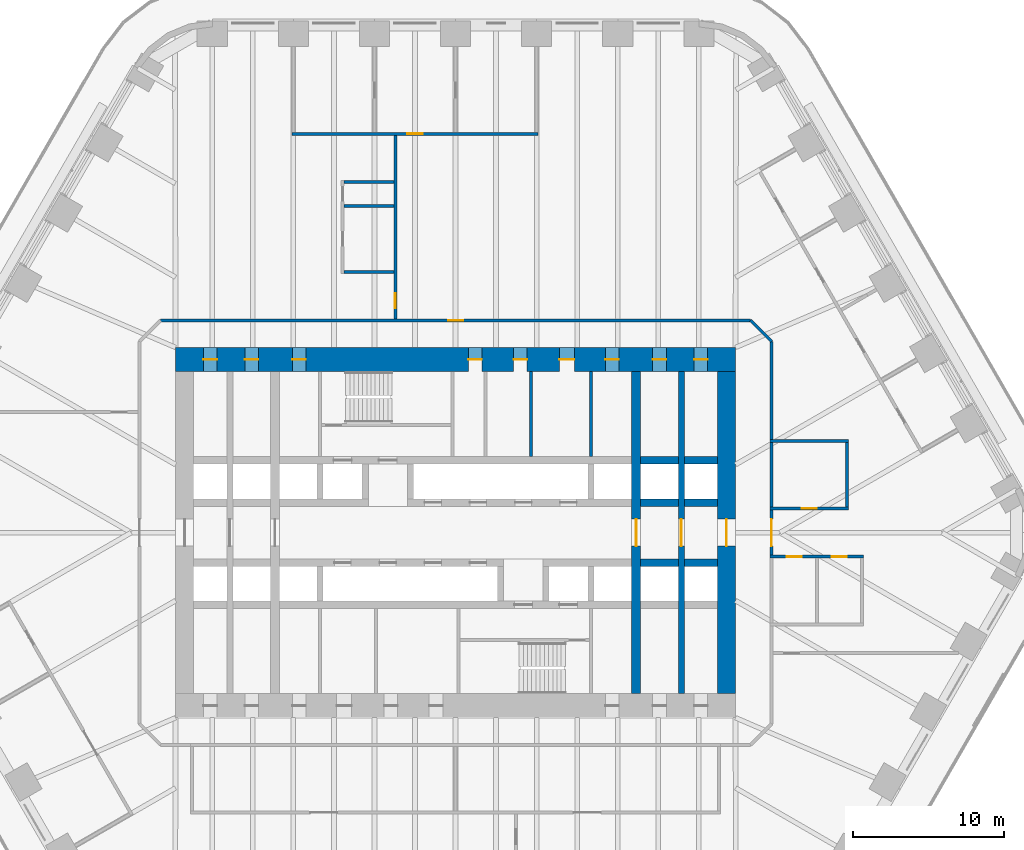
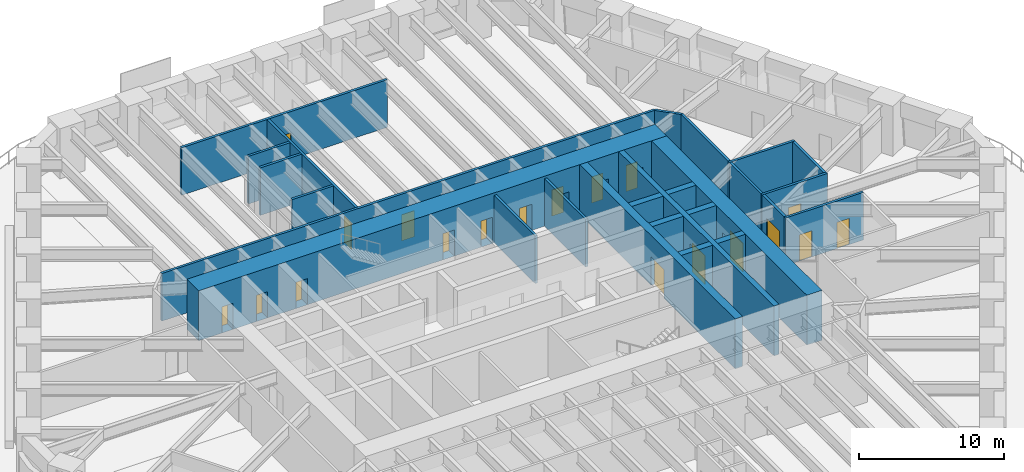
# One storey, part 19 of 24: 26 walls, 19 doors, 19 openings.
"""IFC4 building model written with IfcOpenShell, lengths in metres."""

from ifc_helpers import new_model, si_unit, direction, frame, frame_2d, origin, place, context, subcontext, project, spatial, rectangle, extrude, material, layer, layer_set, type_object, element, fill, save


model = new_model("IFC4")

# Units and contexts
model_context = context("Model", 3, precision=1e-05, world=origin(), true_north=direction((0.0, 1.0)))
body_context = subcontext(model_context, "Body", "Model", "MODEL_VIEW")
ifc_project = project(units=[si_unit("LENGTHUNIT", "METRE"), si_unit("AREAUNIT", "SQUARE_METRE"), si_unit("VOLUMEUNIT", "CUBIC_METRE"), si_unit("PLANEANGLEUNIT", "RADIAN"), si_unit("MASSUNIT", "GRAM", prefix="KILO")], contexts=[model_context])

# Site, building, storey
site_placement = place(None, origin())
site = spatial("IfcSite", under=ifc_project, at=site_placement, CompositionType="ELEMENT")
building_placement = place(site_placement, origin())
building = spatial("IfcBuilding", under=site, at=building_placement, Name="Tarfa Lantern Tower", CompositionType="ELEMENT")
storey_placement = place(building_placement, frame((0.0, 0.0, 65.5)))
storey = spatial("IfcBuildingStorey", under=building, at=storey_placement, Name="L14", CompositionType="ELEMENT", Elevation=65.5)

# Walls
ifc_material_1 = material(Name="Concrete blockwork", Category="masonry")
ifc_layer_1 = layer(ifc_material_1, 0.199951171875)
ifc_layer_set_1 = layer_set([ifc_layer_1], Name="IW1 BLOCKWORK PARTITION 200 EI 120")
wall_type_1 = type_object("IfcWallType", Name="IW1 BLOCKWORK PARTITION 200 EI 120", PredefinedType="PARTITIONING", material=ifc_layer_set_1)
for number, where, z_axis, x_axis, name in (
    (1, (9.0, 5.050048828125, 0.0), (0.0, 0.0, 1.0), (0.0, 1.0, 0.0), "Core partition"),
    (2, (5.0, 5.050048828125, 0.0), (0.0, 0.0, 1.0), (0.0, 1.0, 0.0), "Core partition"),
):
    element("IfcWall", number, at=place(storey_placement, frame(where, z_axis=z_axis, x_axis=x_axis)), inside=storey, type_object=wall_type_1, Name=name, PredefinedType="PARTITIONING", context=body_context, shape_type="SweptSolid", body=[
        extrude(rectangle(XDim=5.64990234375, YDim=0.199951171875, at=frame_2d((2.824951171875, 0.0))), origin(), (0.0, 0.0, 1.0), 4.0),
    ])

# Wall, opening, door
ifc_material_2 = material(Name="Gypsum board on steel studs", Category="steel")
ifc_layer_2 = layer(ifc_material_2, 0.2099609375)
ifc_layer_set_2 = layer_set([ifc_layer_2], Name="IW2 ACOUSTIC PARTITION 200")
wall_type_2 = type_object("IfcWallType", Name="IW2 ACOUSTIC PARTITION 200", PredefinedType="PARTITIONING", material=ifc_layer_set_2)
wall_1_placement = place(storey_placement, frame((5.488525390625, 26.5, 0.0), z_axis=(0.0, 0.0, 1.0), x_axis=(-1.0, 0.0, 0.0)))
wall_1 = element("IfcWall", 3, at=wall_1_placement, inside=storey, type_object=wall_type_2, Name="Partition", PredefinedType="PARTITIONING", context=body_context, shape_type="SweptSolid", body=[
    extrude(rectangle(XDim=16.36572265625, YDim=0.199951171875, at=frame_2d((8.182861328125, 0.0))), origin(), (0.0, 0.0, 1.0), 4.0),
])
opening_1_placement = place(wall_1_placement, frame((7.682861328125, 0.0, 0.0)))
opening_1 = element("IfcOpeningElement", 4, at=opening_1_placement, cuts=wall_1, Name="Opening D33", PredefinedType="OPENING", context=body_context, shape_type="SweptSolid", body=[
    extrude(rectangle(XDim=1.0, YDim=2.199951171875, at=frame_2d((0.5, 1.10009765625))), frame((0.0, 0.10986328125, 0.0), z_axis=(0.0, -1.0, 0.0), x_axis=(1.0, 0.0, 0.0)), (0.0, 0.0, 1.0), 0.219970703125),
])
ifc_material_3 = material(Name="Timber door", Category="wood")
door_type_1 = type_object("IfcDoorType", Name="DR1 ROOM DOOR 1000x2200", OperationType="SINGLE_SWING_LEFT", PredefinedType="DOOR", material=ifc_material_3)
door_1_placement = place(opening_1_placement, frame((1.0, 0.0, 0.0), z_axis=(0.0, 0.0, 1.0), x_axis=(-1.0, 0.0, 0.0)))
door_1 = element("IfcDoor", 5, at=door_1_placement, inside=storey, type_object=door_type_1, Name="Supplier reception door", OperationType="SINGLE_SWING_LEFT", OverallHeight=2.199951171875, OverallWidth=1.0, PredefinedType="DOOR", context=body_context, shape_type="SweptSolid", body=[
    extrude(rectangle(XDim=1.0, YDim=2.199951171875, at=frame_2d((0.5, 1.10009765625))), frame((0.0, 0.02490234375, 0.0), z_axis=(0.0, -1.0, 0.0), x_axis=(1.0, 0.0, 0.0)), (0.0, 0.0, 1.0), 0.050048828125),
])
fill(opening_1, door_1)

wall_2_placement = place(storey_placement, frame((20.89990234375, 1.60009765625, 0.0), z_axis=(0.0, 0.0, 1.0), x_axis=(1.0, 0.0, 0.0)))
wall_2 = element("IfcWall", 6, at=wall_2_placement, inside=storey, type_object=wall_type_2, Name="Partition", PredefinedType="PARTITIONING", context=body_context, shape_type="SweptSolid", body=[
    extrude(rectangle(XDim=5.2001953125, YDim=0.199951171875, at=frame_2d((2.60009765625, 0.0))), origin(), (0.0, 0.0, 1.0), 4.0),
])
opening_2_placement = place(wall_2_placement, frame((2.10009765625, 0.0, 0.0)))
opening_2 = element("IfcOpeningElement", 7, at=opening_2_placement, cuts=wall_2, Name="Opening D29", PredefinedType="OPENING", context=body_context, shape_type="SweptSolid", body=[
    extrude(rectangle(XDim=1.0, YDim=2.199951171875, at=frame_2d((0.5, 1.10009765625))), frame((0.0, 0.10986328125, 0.0), z_axis=(0.0, -1.0, 0.0), x_axis=(1.0, 0.0, 0.0)), (0.0, 0.0, 1.0), 0.219970703125),
])
door_2_placement = place(opening_2_placement, origin())
door_2 = element("IfcDoor", 8, at=door_2_placement, inside=storey, type_object=door_type_1, Name="Pantry door", OperationType="SINGLE_SWING_RIGHT", OverallHeight=2.199951171875, OverallWidth=1.0, PredefinedType="DOOR", context=body_context, shape_type="SweptSolid", body=[
    extrude(rectangle(XDim=1.0, YDim=2.199951171875, at=frame_2d((0.5, 1.10009765625))), frame((0.0, 0.02490234375, 0.0), z_axis=(0.0, -1.0, 0.0), x_axis=(1.0, 0.0, 0.0)), (0.0, 0.0, 1.0), 0.050048828125),
])
fill(opening_2, door_2)

# Walls
wall_3_placement = place(storey_placement, frame((20.89990234375, 6.10009765625, 0.0), z_axis=(0.0, 0.0, 1.0), x_axis=(1.0, 0.0, 0.0)))
element("IfcWall", 9, at=wall_3_placement, inside=storey, type_object=wall_type_2, Name="Partition", PredefinedType="PARTITIONING", context=body_context, shape_type="SweptSolid", body=[
    extrude(rectangle(XDim=5.2001953125, YDim=0.199951171875, at=frame_2d((2.60009765625, 0.0))), origin(), (0.0, 0.0, 1.0), 4.0),
])
for number, where, z_axis, x_axis, name in (
    (10, (21.0, 1.699951171875, 0.0), (0.0, 0.0, 1.0), (0.0, 1.0, 0.0), "Partition"),
    (11, (26.0, 1.699951171875, 0.0), (0.0, 0.0, 1.0), (0.0, 1.0, 0.0), "Partition"),
):
    element("IfcWall", number, at=place(storey_placement, frame(where, z_axis=z_axis, x_axis=x_axis)), inside=storey, type_object=wall_type_2, Name=name, PredefinedType="PARTITIONING", context=body_context, shape_type="SweptSolid", body=[
        extrude(rectangle(XDim=4.300048828125, YDim=0.199951171875, at=frame_2d((2.14990234375, 0.0))), origin(), (0.0, 0.0, 1.0), 4.0),
    ])

# Wall, openings, doors
wall_4_placement = place(storey_placement, frame((20.89990234375, -1.60009765625, 0.0), z_axis=(0.0, 0.0, 1.0), x_axis=(1.0, 0.0, 0.0)))
wall_4 = element("IfcWall", 12, at=wall_4_placement, inside=storey, type_object=wall_type_2, Name="Partition", PredefinedType="PARTITIONING", context=body_context, shape_type="SweptSolid", body=[
    extrude(rectangle(XDim=6.2001953125, YDim=0.199951171875, at=frame_2d((3.10009765625, 0.0))), origin(), (0.0, 0.0, 1.0), 4.0),
])
opening_3_placement = place(wall_4_placement, frame((1.10009765625, 0.0, 0.0)))
opening_3 = element("IfcOpeningElement", 13, at=opening_3_placement, cuts=wall_4, Name="Opening D30", PredefinedType="OPENING", context=body_context, shape_type="SweptSolid", body=[
    extrude(rectangle(XDim=1.0, YDim=2.199951171875, at=frame_2d((0.5, 1.10009765625))), frame((0.0, 0.10986328125, 0.0), z_axis=(0.0, -1.0, 0.0), x_axis=(1.0, 0.0, 0.0)), (0.0, 0.0, 1.0), 0.219970703125),
])
opening_4_placement = place(wall_4_placement, frame((4.10009765625, 0.0, 0.0)))
opening_4 = element("IfcOpeningElement", 14, at=opening_4_placement, cuts=wall_4, Name="Opening D31", PredefinedType="OPENING", context=body_context, shape_type="SweptSolid", body=[
    extrude(rectangle(XDim=1.0, YDim=2.199951171875, at=frame_2d((0.5, 1.10009765625))), frame((0.0, 0.10986328125, 0.0), z_axis=(0.0, -1.0, 0.0), x_axis=(1.0, 0.0, 0.0)), (0.0, 0.0, 1.0), 0.219970703125),
])
door_3_placement = place(opening_3_placement, frame((1.0, 0.0, 0.0), z_axis=(0.0, 0.0, 1.0), x_axis=(-1.0, 0.0, 0.0)))
door_3 = element("IfcDoor", 15, at=door_3_placement, inside=storey, type_object=door_type_1, Name="Buyer's office door", OperationType="SINGLE_SWING_LEFT", OverallHeight=2.199951171875, OverallWidth=1.0, PredefinedType="DOOR", context=body_context, shape_type="SweptSolid", body=[
    extrude(rectangle(XDim=1.0, YDim=2.199951171875, at=frame_2d((0.5, 1.10009765625))), frame((0.0, 0.02490234375, 0.0), z_axis=(0.0, -1.0, 0.0), x_axis=(1.0, 0.0, 0.0)), (0.0, 0.0, 1.0), 0.050048828125),
])
fill(opening_3, door_3)
door_4_placement = place(opening_4_placement, frame((1.0, 0.0, 0.0), z_axis=(0.0, 0.0, 1.0), x_axis=(-1.0, 0.0, 0.0)))
door_4 = element("IfcDoor", 16, at=door_4_placement, inside=storey, type_object=door_type_1, Name="Buyer's office door", OperationType="SINGLE_SWING_RIGHT", OverallHeight=2.199951171875, OverallWidth=1.0, PredefinedType="DOOR", context=body_context, shape_type="SweptSolid", body=[
    extrude(rectangle(XDim=1.0, YDim=2.199951171875, at=frame_2d((0.5, 1.10009765625))), frame((0.0, 0.02490234375, 0.0), z_axis=(0.0, -1.0, 0.0), x_axis=(1.0, 0.0, 0.0)), (0.0, 0.0, 1.0), 0.050048828125),
])
fill(opening_4, door_4)

# Wall, opening, door
wall_5_placement = place(storey_placement, frame((-19.60009765625, 14.10009765625, 0.0), z_axis=(0.0, 0.0, 1.0), x_axis=(1.0, 0.0, 0.0)))
wall_5 = element("IfcWall", 17, at=wall_5_placement, inside=storey, type_object=wall_type_2, Name="Partition", PredefinedType="PARTITIONING", context=body_context, shape_type="SweptSolid", body=[
    extrude(rectangle(XDim=39.2001953125, YDim=0.199951171875, at=frame_2d((19.60009765625, 0.0))), origin(), (0.0, 0.0, 1.0), 4.0),
])
opening_5_placement = place(wall_5_placement, frame((19.10009765625, 0.0, 0.0)))
opening_5 = element("IfcOpeningElement", 18, at=opening_5_placement, cuts=wall_5, Name="Opening D48", PredefinedType="OPENING", context=body_context, shape_type="SweptSolid", body=[
    extrude(rectangle(XDim=1.0, YDim=2.199951171875, at=frame_2d((0.5, 1.10009765625))), frame((0.0, 0.10986328125, 0.0), z_axis=(0.0, -1.0, 0.0), x_axis=(1.0, 0.0, 0.0)), (0.0, 0.0, 1.0), 0.219970703125),
])
door_5_placement = place(opening_5_placement, origin())
door_5 = element("IfcDoor", 19, at=door_5_placement, inside=storey, type_object=door_type_1, Name="Corridor door", OperationType="SINGLE_SWING_RIGHT", OverallHeight=2.199951171875, OverallWidth=1.0, PredefinedType="DOOR", context=body_context, shape_type="SweptSolid", body=[
    extrude(rectangle(XDim=1.0, YDim=2.199951171875, at=frame_2d((0.5, 1.10009765625))), frame((0.0, 0.02490234375, 0.0), z_axis=(0.0, -1.0, 0.0), x_axis=(1.0, 0.0, 0.0)), (0.0, 0.0, 1.0), 0.050048828125),
])
fill(opening_5, door_5)

# Wall
wall_6_placement = place(storey_placement, frame((19.60009765625, 14.10009765625, 0.0), z_axis=(0.0, 0.0, 1.0), x_axis=(0.707045124756, -0.707168432242, 0.0)))
element("IfcWall", 20, at=wall_6_placement, inside=storey, type_object=wall_type_2, Name="Partition", PredefinedType="PARTITIONING", context=body_context, shape_type="SweptSolid", body=[
    extrude(rectangle(XDim=1.97998046875, YDim=0.199951171875, at=frame_2d((0.989990234375, 0.0))), origin(), (0.0, 0.0, 1.0), 4.0),
])

# Wall, opening, door
wall_7_placement = place(storey_placement, frame((21.0, 1.4990234375, 0.0), z_axis=(0.0, 0.0, 1.0), x_axis=(0.0, -1.0, 0.0)))
wall_7 = element("IfcWall", 21, at=wall_7_placement, inside=storey, type_object=wall_type_2, Name="Partition", PredefinedType="PARTITIONING", context=body_context, shape_type="SweptSolid", body=[
    extrude(rectangle(XDim=2.998046875, YDim=0.199951171875, at=frame_2d((1.4990234375, 0.0))), origin(), (0.0, 0.0, 1.0), 4.0),
])
opening_6_placement = place(wall_7_placement, frame((0.59912109375, 0.0, 0.0)))
opening_6 = element("IfcOpeningElement", 22, at=opening_6_placement, cuts=wall_7, Name="Opening D47", PredefinedType="OPENING", context=body_context, shape_type="SweptSolid", body=[
    extrude(rectangle(XDim=1.800048828125, YDim=2.39990234375, at=frame_2d((0.89990234375, 1.199951171875))), frame((0.0, 0.10986328125, 0.0), z_axis=(0.0, -1.0, 0.0), x_axis=(1.0, 0.0, 0.0)), (0.0, 0.0, 1.0), 0.219970703125),
])
door_type_2 = type_object("IfcDoorType", Name="DR2 ROOM DOOR 1800x2400", OperationType="DOUBLE_DOOR_SINGLE_SWING", PredefinedType="DOOR", material=ifc_material_3)
door_6_placement = place(opening_6_placement, origin())
door_6 = element("IfcDoor", 23, at=door_6_placement, inside=storey, type_object=door_type_2, Name="Corridor door", OperationType="DOUBLE_DOOR_SINGLE_SWING", OverallHeight=2.39990234375, OverallWidth=1.800048828125, PredefinedType="DOOR", context=body_context, shape_type="SweptSolid", body=[
    extrude(rectangle(XDim=1.800048828125, YDim=2.39990234375, at=frame_2d((0.89990234375, 1.199951171875))), frame((0.0, 0.02490234375, 0.0), z_axis=(0.0, -1.0, 0.0), x_axis=(1.0, 0.0, 0.0)), (0.0, 0.0, 1.0), 0.050048828125),
])
fill(opening_6, door_6)

# Wall
wall_8_placement = place(storey_placement, frame((21.0, 12.699951171875, 0.0), z_axis=(0.0, 0.0, 1.0), x_axis=(0.0, -1.0, 0.0)))
element("IfcWall", 24, at=wall_8_placement, inside=storey, type_object=wall_type_2, Name="Partition", PredefinedType="PARTITIONING", context=body_context, shape_type="SweptSolid", body=[
    extrude(rectangle(XDim=6.4990234375, YDim=0.199951171875, at=frame_2d((3.24951171875, 0.0))), origin(), (0.0, 0.0, 1.0), 4.0),
])

# Wall, opening, door
wall_9_placement = place(storey_placement, frame((-4.0, 14.199951171875, 0.0), z_axis=(0.0, 0.0, 1.0), x_axis=(0.0, 1.0, 0.0)))
wall_9 = element("IfcWall", 25, at=wall_9_placement, inside=storey, type_object=wall_type_2, Name="Partition", PredefinedType="PARTITIONING", context=body_context, shape_type="SweptSolid", body=[
    extrude(rectangle(XDim=12.199951171875, YDim=0.199951171875, at=frame_2d((6.10009765625, 0.0))), origin(), (0.0, 0.0, 1.0), 4.0),
])
opening_7_placement = place(wall_9_placement, frame((0.719970703125, 0.0, 0.0)))
opening_7 = element("IfcOpeningElement", 26, at=opening_7_placement, cuts=wall_9, Name="Opening D51", PredefinedType="OPENING", context=body_context, shape_type="SweptSolid", body=[
    extrude(rectangle(XDim=1.0, YDim=2.199951171875, at=frame_2d((0.5, 1.10009765625))), frame((0.0, 0.10986328125, 0.0), z_axis=(0.0, -1.0, 0.0), x_axis=(1.0, 0.0, 0.0)), (0.0, 0.0, 1.0), 0.219970703125),
])
door_7_placement = place(opening_7_placement, origin())
door_7 = element("IfcDoor", 27, at=door_7_placement, inside=storey, type_object=door_type_1, Name="Zone door", OperationType="SINGLE_SWING_RIGHT", OverallHeight=2.199951171875, OverallWidth=1.0, PredefinedType="DOOR", context=body_context, shape_type="SweptSolid", body=[
    extrude(rectangle(XDim=1.0, YDim=2.199951171875, at=frame_2d((0.5, 1.10009765625))), frame((0.0, 0.02490234375, 0.0), z_axis=(0.0, -1.0, 0.0), x_axis=(1.0, 0.0, 0.0)), (0.0, 0.0, 1.0), 0.050048828125),
])
fill(opening_7, door_7)

# Walls
for number, where, z_axis, x_axis, name in (
    (28, (-4.10009765625, 17.300048828125, 0.0), (0.0, 0.0, 1.0), (-1.0, 0.0, 0.0), "Partition"),
    (29, (-4.10009765625, 21.699951171875, 0.0), (0.0, 0.0, 1.0), (-1.0, 0.0, 0.0), "Partition"),
    (30, (-4.10009765625, 23.300048828125, 0.0), (0.0, 0.0, 1.0), (-1.0, 0.0, 0.0), "Partition"),
):
    element("IfcWall", number, at=place(storey_placement, frame(where, z_axis=z_axis, x_axis=x_axis)), inside=storey, type_object=wall_type_2, Name=name, PredefinedType="PARTITIONING", context=body_context, shape_type="SweptSolid", body=[
        extrude(rectangle(XDim=3.2998046875, YDim=0.199951171875, at=frame_2d((1.64990234375, 0.0))), origin(), (0.0, 0.0, 1.0), 4.0),
    ])

# Wall, opening, door
ifc_material_4 = material(Name="Concrete C80/95", Category="concrete")
ifc_layer_3 = layer(ifc_material_4, 1.199951171875)
ifc_layer_set_3 = layer_set([ifc_layer_3], Name="SW1 CORE WALL 1200")
wall_type_3 = type_object("IfcWallType", Name="SW1 CORE WALL 1200", PredefinedType="SHEAR", material=ifc_layer_set_3)
wall_10_placement = place(storey_placement, frame((18.0, -10.699951171875, 0.0), z_axis=(0.0, 0.0, 1.0), x_axis=(0.0, 1.0, 0.0)))
wall_10 = element("IfcWall", 31, at=wall_10_placement, inside=storey, type_object=wall_type_3, Name="Core wall E", PredefinedType="SHEAR", context=body_context, shape_type="SweptSolid", body=[
    extrude(rectangle(XDim=21.39990234375, YDim=1.199951171875, at=frame_2d((10.699951171875, 0.0))), origin(), (0.0, 0.0, 1.0), 4.199951171875),
])
opening_8_placement = place(wall_10_placement, frame((9.800048828125, 0.0, 0.0)))
opening_8 = element("IfcOpeningElement", 32, at=opening_8_placement, cuts=wall_10, Name="Opening D15", PredefinedType="OPENING", context=body_context, shape_type="SweptSolid", body=[
    extrude(rectangle(XDim=1.800048828125, YDim=2.39990234375, at=frame_2d((0.89990234375, 1.199951171875))), frame((0.0, 0.60986328125, 0.0), z_axis=(0.0, -1.0, 0.0), x_axis=(1.0, 0.0, 0.0)), (0.0, 0.0, 1.0), 1.219970703125),
])
ifc_material_5 = material(Name="Steel fire door", Category="steel")
door_type_3 = type_object("IfcDoorType", Name="DL1 LOBBY DOOR 1800x2400", OperationType="DOUBLE_DOOR_SINGLE_SWING", PredefinedType="DOOR", material=ifc_material_5)
door_8_placement = place(opening_8_placement, frame((1.800048828125, 0.0, 0.0), z_axis=(0.0, 0.0, 1.0), x_axis=(-1.0, 0.0, 0.0)))
door_8 = element("IfcDoor", 33, at=door_8_placement, inside=storey, type_object=door_type_3, Name="Lift lobby door", OperationType="DOUBLE_DOOR_SINGLE_SWING", OverallHeight=2.39990234375, OverallWidth=1.800048828125, PredefinedType="DOOR", context=body_context, shape_type="SweptSolid", body=[
    extrude(rectangle(XDim=1.800048828125, YDim=2.39990234375, at=frame_2d((0.89990234375, 1.199951171875))), frame((0.0, 0.02490234375, 0.0), z_axis=(0.0, -1.0, 0.0), x_axis=(1.0, 0.0, 0.0)), (0.0, 0.0, 1.0), 0.050048828125),
])
fill(opening_8, door_8)

# Walls
ifc_layer_4 = layer(ifc_material_4, 0.5)
ifc_layer_set_4 = layer_set([ifc_layer_4], Name="SW5 CORE WALL 500")
wall_type_4 = type_object("IfcWallType", Name="SW5 CORE WALL 500", PredefinedType="SHEAR", material=ifc_layer_set_4)
wall_11_placement = place(storey_placement, frame((12.300048828125, 2.0, 0.0), z_axis=(0.0, 0.0, 1.0), x_axis=(1.0, 0.0, 0.0)))
element("IfcWall", 34, at=wall_11_placement, inside=storey, type_object=wall_type_4, Name="Core wall lobby east N", PredefinedType="SHEAR", context=body_context, shape_type="SweptSolid", body=[
    extrude(rectangle(XDim=2.5, YDim=0.5, at=frame_2d((1.25, 0.0))), origin(), (0.0, 0.0, 1.0), 4.199951171875),
])
wall_12_placement = place(storey_placement, frame((15.199951171875, 2.0, 0.0), z_axis=(0.0, 0.0, 1.0), x_axis=(1.0, 0.0, 0.0)))
element("IfcWall", 35, at=wall_12_placement, inside=storey, type_object=wall_type_4, Name="Core wall lobby east N", PredefinedType="SHEAR", context=body_context, shape_type="SweptSolid", body=[
    extrude(rectangle(XDim=2.199951171875, YDim=0.5, at=frame_2d((1.10009765625, 0.0))), origin(), (0.0, 0.0, 1.0), 4.199951171875),
])
wall_13_placement = place(storey_placement, frame((12.300048828125, 4.800048828125, 0.0), z_axis=(0.0, 0.0, 1.0), x_axis=(1.0, 0.0, 0.0)))
element("IfcWall", 36, at=wall_13_placement, inside=storey, type_object=wall_type_4, Name="Core wall rear N", PredefinedType="SHEAR", context=body_context, shape_type="SweptSolid", body=[
    extrude(rectangle(XDim=2.5, YDim=0.5, at=frame_2d((1.25, 0.0))), origin(), (0.0, 0.0, 1.0), 4.199951171875),
])
for number, where, z_axis, x_axis, name in (
    (37, (15.199951171875, 4.800048828125, 0.0), (0.0, 0.0, 1.0), (1.0, 0.0, 0.0), "Core wall rear N"),
    (38, (17.39990234375, -2.0, 0.0), (0.0, 0.0, 1.0), (-1.0, 0.0, 0.0), "Core wall lobby west S"),
):
    element("IfcWall", number, at=place(storey_placement, frame(where, z_axis=z_axis, x_axis=x_axis)), inside=storey, type_object=wall_type_4, Name=name, PredefinedType="SHEAR", context=body_context, shape_type="SweptSolid", body=[
        extrude(rectangle(XDim=2.199951171875, YDim=0.5, at=frame_2d((1.10009765625, 0.0))), origin(), (0.0, 0.0, 1.0), 4.199951171875),
    ])
wall_14_placement = place(storey_placement, frame((14.800048828125, -2.0, 0.0), z_axis=(0.0, 0.0, 1.0), x_axis=(-1.0, 0.0, 0.0)))
element("IfcWall", 39, at=wall_14_placement, inside=storey, type_object=wall_type_4, Name="Core wall lobby west S", PredefinedType="SHEAR", context=body_context, shape_type="SweptSolid", body=[
    extrude(rectangle(XDim=2.5, YDim=0.5, at=frame_2d((1.25, 0.0))), origin(), (0.0, 0.0, 1.0), 4.199951171875),
])

# Wall, opening, door
ifc_layer_5 = layer(ifc_material_4, 0.39990234375)
ifc_layer_set_5 = layer_set([ifc_layer_5], Name="SW6 CORE WALL 400")
wall_type_5 = type_object("IfcWallType", Name="SW6 CORE WALL 400", PredefinedType="SHEAR", material=ifc_layer_set_5)
wall_15_placement = place(storey_placement, frame((15.0, -10.699951171875, 0.0), z_axis=(0.0, 0.0, 1.0), x_axis=(0.0, 1.0, 0.0)))
wall_15 = element("IfcWall", 40, at=wall_15_placement, inside=storey, type_object=wall_type_5, Name="Core wall cross 15 m east", PredefinedType="SHEAR", context=body_context, shape_type="SweptSolid", body=[
    extrude(rectangle(XDim=21.39990234375, YDim=0.39990234375, at=frame_2d((10.699951171875, 0.0))), origin(), (0.0, 0.0, 1.0), 4.199951171875),
])
opening_9_placement = place(wall_15_placement, frame((9.800048828125, 0.0, 0.0)))
opening_9 = element("IfcOpeningElement", 41, at=opening_9_placement, cuts=wall_15, Name="Opening D26", PredefinedType="OPENING", context=body_context, shape_type="SweptSolid", body=[
    extrude(rectangle(XDim=1.800048828125, YDim=2.39990234375, at=frame_2d((0.89990234375, 1.199951171875))), frame((0.0, 0.2099609375, 0.0), z_axis=(0.0, -1.0, 0.0), x_axis=(1.0, 0.0, 0.0)), (0.0, 0.0, 1.0), 0.419921875),
])
door_9_placement = place(opening_9_placement, origin())
door_9 = element("IfcDoor", 42, at=door_9_placement, inside=storey, type_object=door_type_3, Name="Lift lobby door", OperationType="DOUBLE_DOOR_SINGLE_SWING", OverallHeight=2.39990234375, OverallWidth=1.800048828125, PredefinedType="DOOR", context=body_context, shape_type="SweptSolid", body=[
    extrude(rectangle(XDim=1.800048828125, YDim=2.39990234375, at=frame_2d((0.89990234375, 1.199951171875))), frame((0.0, 0.02490234375, 0.0), z_axis=(0.0, -1.0, 0.0), x_axis=(1.0, 0.0, 0.0)), (0.0, 0.0, 1.0), 0.050048828125),
])
fill(opening_9, door_9)

# Wall, openings, doors
ifc_layer_6 = layer(ifc_material_4, 1.60009765625)
ifc_layer_set_6 = layer_set([ifc_layer_6], Name="SW7 CORE WALL 1600")
wall_type_6 = type_object("IfcWallType", Name="SW7 CORE WALL 1600", PredefinedType="SHEAR", material=ifc_layer_set_6)
wall_16_placement = place(storey_placement, frame((-18.60009765625, 11.5, 0.0), z_axis=(0.0, 0.0, 1.0), x_axis=(1.0, 0.0, 0.0)))
wall_16 = element("IfcWall", 43, at=wall_16_placement, inside=storey, type_object=wall_type_6, Name="Core wall N", PredefinedType="SHEAR", context=body_context, shape_type="SweptSolid", body=[
    extrude(rectangle(XDim=37.2001953125, YDim=1.60009765625, at=frame_2d((18.60009765625, 0.0))), origin(), (0.0, 0.0, 1.0), 4.199951171875),
])
opening_10_placement = place(wall_16_placement, frame((19.449951171875, 0.0, 0.0)))
opening_10 = element("IfcOpeningElement", 44, at=opening_10_placement, cuts=wall_16, Name="Opening D17", PredefinedType="OPENING", context=body_context, shape_type="SweptSolid", body=[
    extrude(rectangle(XDim=0.89990234375, YDim=2.199951171875, at=frame_2d((0.449951171875, 1.10009765625))), frame((0.0, 0.81005859375, 0.0), z_axis=(0.0, -1.0, 0.0), x_axis=(1.0, 0.0, 0.0)), (0.0, 0.0, 1.0), 1.6201171875),
])
opening_11_placement = place(wall_16_placement, frame((22.449951171875, 0.0, 0.0)))
opening_11 = element("IfcOpeningElement", 45, at=opening_11_placement, cuts=wall_16, Name="Opening D19", PredefinedType="OPENING", context=body_context, shape_type="SweptSolid", body=[
    extrude(rectangle(XDim=0.89990234375, YDim=2.199951171875, at=frame_2d((0.449951171875, 1.10009765625))), frame((0.0, 0.81005859375, 0.0), z_axis=(0.0, -1.0, 0.0), x_axis=(1.0, 0.0, 0.0)), (0.0, 0.0, 1.0), 1.6201171875),
])
opening_12_placement = place(wall_16_placement, frame((25.5, 0.0, 0.0)))
opening_12 = element("IfcOpeningElement", 46, at=opening_12_placement, cuts=wall_16, Name="Opening D21", PredefinedType="OPENING", context=body_context, shape_type="SweptSolid", body=[
    extrude(rectangle(XDim=1.0, YDim=2.199951171875, at=frame_2d((0.5, 1.10009765625))), frame((0.0, 0.81005859375, 0.0), z_axis=(0.0, -1.0, 0.0), x_axis=(1.0, 0.0, 0.0)), (0.0, 0.0, 1.0), 1.6201171875),
])
opening_13_placement = place(wall_16_placement, frame((1.85009765625, 0.0, 0.0)))
opening_13 = element("IfcOpeningElement", 47, at=opening_13_placement, cuts=wall_16, Name="Opening D11", PredefinedType="OPENING", context=body_context, shape_type="SweptSolid", body=[
    extrude(rectangle(XDim=0.89990234375, YDim=2.199951171875, at=frame_2d((0.449951171875, 1.10009765625))), frame((0.0, 0.81005859375, 0.0), z_axis=(0.0, -1.0, 0.0), x_axis=(1.0, 0.0, 0.0)), (0.0, 0.0, 1.0), 1.6201171875),
])
opening_14_placement = place(wall_16_placement, frame((4.60009765625, 0.0, 0.0)))
opening_14 = element("IfcOpeningElement", 48, at=opening_14_placement, cuts=wall_16, Name="Opening D07", PredefinedType="OPENING", context=body_context, shape_type="SweptSolid", body=[
    extrude(rectangle(XDim=0.89990234375, YDim=2.199951171875, at=frame_2d((0.449951171875, 1.10009765625))), frame((0.0, 0.81005859375, 0.0), z_axis=(0.0, -1.0, 0.0), x_axis=(1.0, 0.0, 0.0)), (0.0, 0.0, 1.0), 1.6201171875),
])
opening_15_placement = place(wall_16_placement, frame((7.75, 0.0, 0.0)))
opening_15 = element("IfcOpeningElement", 49, at=opening_15_placement, cuts=wall_16, Name="Opening D09", PredefinedType="OPENING", context=body_context, shape_type="SweptSolid", body=[
    extrude(rectangle(XDim=0.89990234375, YDim=2.199951171875, at=frame_2d((0.449951171875, 1.10009765625))), frame((0.0, 0.81005859375, 0.0), z_axis=(0.0, -1.0, 0.0), x_axis=(1.0, 0.0, 0.0)), (0.0, 0.0, 1.0), 1.6201171875),
])
opening_16_placement = place(wall_16_placement, frame((28.550048828125, 0.0, 0.0)))
opening_16 = element("IfcOpeningElement", 50, at=opening_16_placement, cuts=wall_16, Name="Opening D05", PredefinedType="OPENING", context=body_context, shape_type="SweptSolid", body=[
    extrude(rectangle(XDim=0.89990234375, YDim=2.199951171875, at=frame_2d((0.449951171875, 1.10009765625))), frame((0.0, 0.81005859375, 0.0), z_axis=(0.0, -1.0, 0.0), x_axis=(1.0, 0.0, 0.0)), (0.0, 0.0, 1.0), 1.6201171875),
])
opening_17_placement = place(wall_16_placement, frame((31.699951171875, 0.0, 0.0)))
opening_17 = element("IfcOpeningElement", 51, at=opening_17_placement, cuts=wall_16, Name="Opening D01", PredefinedType="OPENING", context=body_context, shape_type="SweptSolid", body=[
    extrude(rectangle(XDim=0.89990234375, YDim=2.199951171875, at=frame_2d((0.449951171875, 1.10009765625))), frame((0.0, 0.81005859375, 0.0), z_axis=(0.0, -1.0, 0.0), x_axis=(1.0, 0.0, 0.0)), (0.0, 0.0, 1.0), 1.6201171875),
])
opening_18_placement = place(wall_16_placement, frame((34.449951171875, 0.0, 0.0)))
opening_18 = element("IfcOpeningElement", 52, at=opening_18_placement, cuts=wall_16, Name="Opening D03", PredefinedType="OPENING", context=body_context, shape_type="SweptSolid", body=[
    extrude(rectangle(XDim=0.89990234375, YDim=2.199951171875, at=frame_2d((0.449951171875, 1.10009765625))), frame((0.0, 0.81005859375, 0.0), z_axis=(0.0, -1.0, 0.0), x_axis=(1.0, 0.0, 0.0)), (0.0, 0.0, 1.0), 1.6201171875),
])
door_type_4 = type_object("IfcDoorType", Name="DF3 CORE ROOM DOOR 900x2200", OperationType="SINGLE_SWING_LEFT", PredefinedType="DOOR", material=ifc_material_5)
door_10_placement = place(opening_10_placement, frame((0.89990234375, 0.0, 0.0), z_axis=(0.0, 0.0, 1.0), x_axis=(-1.0, 0.0, 0.0)))
door_10 = element("IfcDoor", 53, at=door_10_placement, inside=storey, type_object=door_type_4, Name="Core door", OperationType="SINGLE_SWING_RIGHT", OverallHeight=2.199951171875, OverallWidth=0.89990234375, PredefinedType="DOOR", context=body_context, shape_type="SweptSolid", body=[
    extrude(rectangle(XDim=0.89990234375, YDim=2.199951171875, at=frame_2d((0.449951171875, 1.10009765625))), frame((0.0, 0.02490234375, 0.0), z_axis=(0.0, -1.0, 0.0), x_axis=(1.0, 0.0, 0.0)), (0.0, 0.0, 1.0), 0.050048828125),
])
fill(opening_10, door_10)
door_11_placement = place(opening_11_placement, frame((0.89990234375, 0.0, 0.0), z_axis=(0.0, 0.0, 1.0), x_axis=(-1.0, 0.0, 0.0)))
door_11 = element("IfcDoor", 54, at=door_11_placement, inside=storey, type_object=door_type_4, Name="Core door", OperationType="SINGLE_SWING_RIGHT", OverallHeight=2.199951171875, OverallWidth=0.89990234375, PredefinedType="DOOR", context=body_context, shape_type="SweptSolid", body=[
    extrude(rectangle(XDim=0.89990234375, YDim=2.199951171875, at=frame_2d((0.449951171875, 1.10009765625))), frame((0.0, 0.02490234375, 0.0), z_axis=(0.0, -1.0, 0.0), x_axis=(1.0, 0.0, 0.0)), (0.0, 0.0, 1.0), 0.050048828125),
])
fill(opening_11, door_11)
door_type_5 = type_object("IfcDoorType", Name="DF4 CORE ROOM DOOR 1000x2200", OperationType="SINGLE_SWING_LEFT", PredefinedType="DOOR", material=ifc_material_5)
door_12_placement = place(opening_12_placement, frame((1.0, 0.0, 0.0), z_axis=(0.0, 0.0, 1.0), x_axis=(-1.0, 0.0, 0.0)))
door_12 = element("IfcDoor", 55, at=door_12_placement, inside=storey, type_object=door_type_5, Name="Core door", OperationType="SINGLE_SWING_RIGHT", OverallHeight=2.199951171875, OverallWidth=1.0, PredefinedType="DOOR", context=body_context, shape_type="SweptSolid", body=[
    extrude(rectangle(XDim=1.0, YDim=2.199951171875, at=frame_2d((0.5, 1.10009765625))), frame((0.0, 0.02490234375, 0.0), z_axis=(0.0, -1.0, 0.0), x_axis=(1.0, 0.0, 0.0)), (0.0, 0.0, 1.0), 0.050048828125),
])
fill(opening_12, door_12)
door_type_6 = type_object("IfcDoorType", Name="DF5 RISER DOOR 900x2200", OperationType="SINGLE_SWING_LEFT", PredefinedType="DOOR", material=ifc_material_5)
door_13_placement = place(opening_13_placement, frame((0.89990234375, 0.0, 0.0), z_axis=(0.0, 0.0, 1.0), x_axis=(-1.0, 0.0, 0.0)))
door_13 = element("IfcDoor", 56, at=door_13_placement, inside=storey, type_object=door_type_6, Name="Riser door", OperationType="SINGLE_SWING_LEFT", OverallHeight=2.199951171875, OverallWidth=0.89990234375, PredefinedType="DOOR", context=body_context, shape_type="SweptSolid", body=[
    extrude(rectangle(XDim=0.89990234375, YDim=2.199951171875, at=frame_2d((0.449951171875, 1.10009765625))), frame((0.0, 0.02490234375, 0.0), z_axis=(0.0, -1.0, 0.0), x_axis=(1.0, 0.0, 0.0)), (0.0, 0.0, 1.0), 0.050048828125),
])
fill(opening_13, door_13)
door_14_placement = place(opening_14_placement, frame((0.89990234375, 0.0, 0.0), z_axis=(0.0, 0.0, 1.0), x_axis=(-1.0, 0.0, 0.0)))
door_14 = element("IfcDoor", 57, at=door_14_placement, inside=storey, type_object=door_type_6, Name="Riser door", OperationType="SINGLE_SWING_LEFT", OverallHeight=2.199951171875, OverallWidth=0.89990234375, PredefinedType="DOOR", context=body_context, shape_type="SweptSolid", body=[
    extrude(rectangle(XDim=0.89990234375, YDim=2.199951171875, at=frame_2d((0.449951171875, 1.10009765625))), frame((0.0, 0.02490234375, 0.0), z_axis=(0.0, -1.0, 0.0), x_axis=(1.0, 0.0, 0.0)), (0.0, 0.0, 1.0), 0.050048828125),
])
fill(opening_14, door_14)
door_15_placement = place(opening_15_placement, frame((0.89990234375, 0.0, 0.0), z_axis=(0.0, 0.0, 1.0), x_axis=(-1.0, 0.0, 0.0)))
door_15 = element("IfcDoor", 58, at=door_15_placement, inside=storey, type_object=door_type_6, Name="Riser door", OperationType="SINGLE_SWING_LEFT", OverallHeight=2.199951171875, OverallWidth=0.89990234375, PredefinedType="DOOR", context=body_context, shape_type="SweptSolid", body=[
    extrude(rectangle(XDim=0.89990234375, YDim=2.199951171875, at=frame_2d((0.449951171875, 1.10009765625))), frame((0.0, 0.02490234375, 0.0), z_axis=(0.0, -1.0, 0.0), x_axis=(1.0, 0.0, 0.0)), (0.0, 0.0, 1.0), 0.050048828125),
])
fill(opening_15, door_15)
door_16_placement = place(opening_16_placement, frame((0.89990234375, 0.0, 0.0), z_axis=(0.0, 0.0, 1.0), x_axis=(-1.0, 0.0, 0.0)))
door_16 = element("IfcDoor", 59, at=door_16_placement, inside=storey, type_object=door_type_6, Name="Riser door", OperationType="SINGLE_SWING_RIGHT", OverallHeight=2.199951171875, OverallWidth=0.89990234375, PredefinedType="DOOR", context=body_context, shape_type="SweptSolid", body=[
    extrude(rectangle(XDim=0.89990234375, YDim=2.199951171875, at=frame_2d((0.449951171875, 1.10009765625))), frame((0.0, 0.02490234375, 0.0), z_axis=(0.0, -1.0, 0.0), x_axis=(1.0, 0.0, 0.0)), (0.0, 0.0, 1.0), 0.050048828125),
])
fill(opening_16, door_16)
door_17_placement = place(opening_17_placement, frame((0.89990234375, 0.0, 0.0), z_axis=(0.0, 0.0, 1.0), x_axis=(-1.0, 0.0, 0.0)))
door_17 = element("IfcDoor", 60, at=door_17_placement, inside=storey, type_object=door_type_6, Name="Riser door", OperationType="SINGLE_SWING_RIGHT", OverallHeight=2.199951171875, OverallWidth=0.89990234375, PredefinedType="DOOR", context=body_context, shape_type="SweptSolid", body=[
    extrude(rectangle(XDim=0.89990234375, YDim=2.199951171875, at=frame_2d((0.449951171875, 1.10009765625))), frame((0.0, 0.02490234375, 0.0), z_axis=(0.0, -1.0, 0.0), x_axis=(1.0, 0.0, 0.0)), (0.0, 0.0, 1.0), 0.050048828125),
])
fill(opening_17, door_17)
door_18_placement = place(opening_18_placement, frame((0.89990234375, 0.0, 0.0), z_axis=(0.0, 0.0, 1.0), x_axis=(-1.0, 0.0, 0.0)))
door_18 = element("IfcDoor", 61, at=door_18_placement, inside=storey, type_object=door_type_6, Name="Riser door", OperationType="SINGLE_SWING_RIGHT", OverallHeight=2.199951171875, OverallWidth=0.89990234375, PredefinedType="DOOR", context=body_context, shape_type="SweptSolid", body=[
    extrude(rectangle(XDim=0.89990234375, YDim=2.199951171875, at=frame_2d((0.449951171875, 1.10009765625))), frame((0.0, 0.02490234375, 0.0), z_axis=(0.0, -1.0, 0.0), x_axis=(1.0, 0.0, 0.0)), (0.0, 0.0, 1.0), 0.050048828125),
])
fill(opening_18, door_18)

# Wall, opening, door
ifc_layer_7 = layer(ifc_material_4, 0.60009765625)
ifc_layer_set_7 = layer_set([ifc_layer_7], Name="SW9 CORE WALL 600")
wall_type_7 = type_object("IfcWallType", Name="SW9 CORE WALL 600", PredefinedType="SHEAR", material=ifc_layer_set_7)
wall_17_placement = place(storey_placement, frame((12.0, -10.699951171875, 0.0), z_axis=(0.0, 0.0, 1.0), x_axis=(0.0, 1.0, 0.0)))
wall_17 = element("IfcWall", 62, at=wall_17_placement, inside=storey, type_object=wall_type_7, Name="Core wall cross 12 m east", PredefinedType="SHEAR", context=body_context, shape_type="SweptSolid", body=[
    extrude(rectangle(XDim=21.39990234375, YDim=0.60009765625, at=frame_2d((10.699951171875, 0.0))), origin(), (0.0, 0.0, 1.0), 4.199951171875),
])
opening_19_placement = place(wall_17_placement, frame((9.800048828125, 0.0, 0.0)))
opening_19 = element("IfcOpeningElement", 63, at=opening_19_placement, cuts=wall_17, Name="Opening D25", PredefinedType="OPENING", context=body_context, shape_type="SweptSolid", body=[
    extrude(rectangle(XDim=1.800048828125, YDim=2.39990234375, at=frame_2d((0.89990234375, 1.199951171875))), frame((0.0, 0.31005859375, 0.0), z_axis=(0.0, -1.0, 0.0), x_axis=(1.0, 0.0, 0.0)), (0.0, 0.0, 1.0), 0.6201171875),
])
door_19_placement = place(opening_19_placement, origin())
door_19 = element("IfcDoor", 64, at=door_19_placement, inside=storey, type_object=door_type_3, Name="Lift lobby door", OperationType="DOUBLE_DOOR_SINGLE_SWING", OverallHeight=2.39990234375, OverallWidth=1.800048828125, PredefinedType="DOOR", context=body_context, shape_type="SweptSolid", body=[
    extrude(rectangle(XDim=1.800048828125, YDim=2.39990234375, at=frame_2d((0.89990234375, 1.199951171875))), frame((0.0, 0.02490234375, 0.0), z_axis=(0.0, -1.0, 0.0), x_axis=(1.0, 0.0, 0.0)), (0.0, 0.0, 1.0), 0.050048828125),
])
fill(opening_19, door_19)

save(model, "model.ifc")
